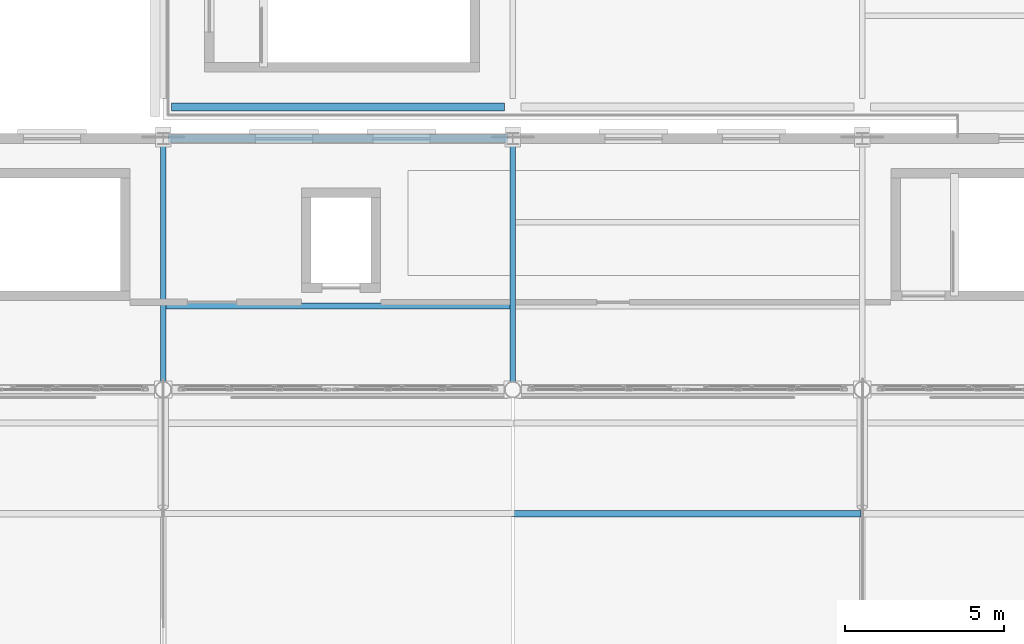
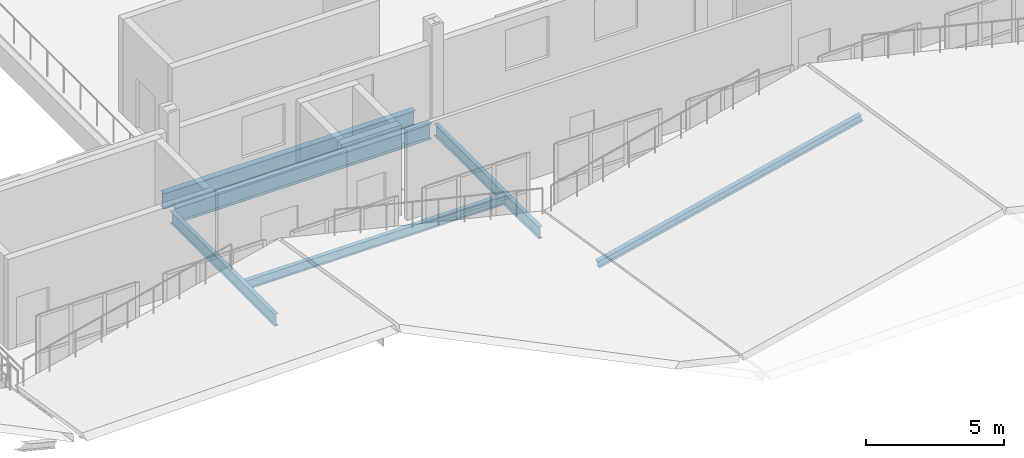
# One storey, part 48 of 120: 5 beams, 1 member.
"""IFC4 building model written with IfcOpenShell, lengths in metres."""

from ifc_helpers import new_model, si_unit, direction, frame, origin, origin_2d, place, context, subcontext, project, spatial, i_section, extrude, material, material_profile, profile_set, type_object, element, save


model = new_model("IFC4")

# Units and contexts
model_context = context("Model", 3, precision=1e-05, world=origin(), true_north=direction((0.0, 1.0)))
body_context = subcontext(model_context, "Body", "Model", "MODEL_VIEW")
ifc_project = project(units=[si_unit("LENGTHUNIT", "METRE"), si_unit("AREAUNIT", "SQUARE_METRE"), si_unit("VOLUMEUNIT", "CUBIC_METRE"), si_unit("PLANEANGLEUNIT", "RADIAN"), si_unit("MASSUNIT", "GRAM", prefix="KILO")], contexts=[model_context])

# Site, building, storey
site_placement = place(None, origin())
site = spatial("IfcSite", under=ifc_project, at=site_placement, CompositionType="ELEMENT")
building_placement = place(site_placement, origin())
building = spatial("IfcBuilding", under=site, at=building_placement, Name="Caurita Quay Ferry Terminal", CompositionType="ELEMENT")
storey_placement = place(building_placement, frame((0.0, 0.0, 9.89990234375)))
storey = spatial("IfcBuildingStorey", under=building, at=storey_placement, Name="L02", CompositionType="ELEMENT", Elevation=9.89990234375)

# Beams
ifc_material = material(Name="Structural steel ASTM A992 Gr. 50", Category="steel")
ifc_material_profile_1 = material_profile(ifc_material, i_section(OverallWidth=0.25390625, OverallDepth=0.68310546875, WebThickness=0.012451171875, FlangeThickness=0.018798828125, at=origin_2d()), Name="W27X94")
ifc_profile_set_1 = profile_set([ifc_material_profile_1], Name="Structural steel ASTM A992 Gr. 50")
beam_type_1 = type_object("IfcBeamType", Name="BM-GR-W27B", PredefinedType="BEAM", material=ifc_profile_set_1)
beam_1_placement = place(storey_placement, frame((99.3583984375, 70.60009765625, -0.5615234375), z_axis=(1.0, 0.0, 0.0), x_axis=(0.0, 1.0, 0.0)))
element("IfcBeam", 1, at=beam_1_placement, inside=storey, type_object=beam_type_1, Name="L02 Beam BM-V2-L02-X-994-706", PredefinedType="BEAM", context=body_context, shape_type="SweptSolid", body=[
    extrude(i_section(OverallWidth=0.25390625, OverallDepth=0.68310546875, WebThickness=0.012451171875, FlangeThickness=0.018798828125, at=origin_2d()), origin(), (0.0, 0.0, 1.0), 10.68310546875),
])
beam_2_placement = place(storey_placement, frame((99.455078125, 71.60009765625, -0.551513671875), z_axis=(1.0, 0.0, 0.0), x_axis=(0.0, 1.0, 0.0)))
element("IfcBeam", 2, at=beam_2_placement, inside=storey, type_object=beam_type_1, Name="L02 Beam BM-V4W-L02-X-995-716", PredefinedType="BEAM", context=body_context, shape_type="SweptSolid", body=[
    extrude(i_section(OverallWidth=0.25390625, OverallDepth=0.68310546875, WebThickness=0.012451171875, FlangeThickness=0.018798828125, at=origin_2d()), origin(), (0.0, 0.0, 1.0), 10.489990234375),
])
ifc_material_profile_2 = material_profile(ifc_material, i_section(OverallWidth=0.177734375, OverallDepth=0.40380859375, WebThickness=0.007568359375, FlangeThickness=0.010986328125, FilletRadius=0.011474609375, at=origin_2d()), Name="W16X36")
ifc_profile_set_2 = profile_set([ifc_material_profile_2], Name="Structural steel ASTM A992 Gr. 50")
beam_type_2 = type_object("IfcBeamType", Name="BM-JS-W16B", PredefinedType="JOIST", material=ifc_profile_set_2)
beam_3_placement = place(storey_placement, frame((99.283203125, 65.333251953125, -0.421875), z_axis=(1.0, 0.0, 0.0), x_axis=(0.0, 1.0, 0.0)))
element("IfcBeam", 3, at=beam_3_placement, inside=storey, type_object=beam_type_2, Name="L02 Beam JS-V2-L02-001", PredefinedType="JOIST", context=body_context, shape_type="SweptSolid", body=[
    extrude(i_section(OverallWidth=0.177734375, OverallDepth=0.40380859375, WebThickness=0.007568359375, FlangeThickness=0.010986328125, FilletRadius=0.011474609375, at=origin_2d()), origin(), (0.0, 0.0, 1.0), 10.83349609375),
])
ifc_material_profile_3 = material_profile(ifc_material, i_section(OverallWidth=0.16650390625, OverallDepth=0.535888671875, WebThickness=0.01025390625, FlangeThickness=0.0166015625, FilletRadius=0.013916015625, at=origin_2d()), Name="W21X57")
ifc_profile_set_3 = profile_set([ifc_material_profile_3], Name="Structural steel ASTM A992 Gr. 50")
beam_type_3 = type_object("IfcBeamType", Name="BM-SP-W21B", PredefinedType="SPANDREL", material=ifc_profile_set_3)
for number, where, z_axis, x_axis, name in (
    (4, (99.199951171875, 62.916015625, -0.48779296875), (0.0, 1.0, 0.0), (-1.0, 0.0, 0.0), "L02 Beam BM-V2-L02-Y-992-629"),
    (5, (110.199951171875, 62.916015625, -0.48779296875), (0.0, 1.0, 0.0), (-1.0, 0.0, 0.0), "L02 Beam BM-V2-L02-Y-1102-629"),
):
    element("IfcBeam", number, at=place(storey_placement, frame(where, z_axis=z_axis, x_axis=x_axis)), inside=storey, type_object=beam_type_3, Name=name, PredefinedType="SPANDREL", context=body_context, shape_type="SweptSolid", body=[
        extrude(i_section(OverallWidth=0.16650390625, OverallDepth=0.535888671875, WebThickness=0.01025390625, FlangeThickness=0.0166015625, FilletRadius=0.013916015625, at=origin_2d()), origin(), (0.0, 0.0, 1.0), 7.527587890625),
    ])

# Member
ifc_material_profile_4 = material_profile(ifc_material, i_section(OverallWidth=0.20458984375, OverallDepth=0.307373046875, WebThickness=0.008544921875, FlangeThickness=0.0146484375, FilletRadius=0.0126953125, at=origin_2d()), Name="W12X45")
ifc_profile_set_4 = profile_set([ifc_material_profile_4], Name="Structural steel ASTM A992 Gr. 50")
member_type = type_object("IfcMemberType", Name="MEM-PUR-12", PredefinedType="PURLIN", material=ifc_profile_set_4)
member_placement = place(storey_placement, frame((110.199951171875, 58.800048828125, 0.6240234375), z_axis=(0.972384559308, 0.0, 0.23338437998), x_axis=(0.0, 1.0, 0.0)))
element("IfcMember", 6, at=member_placement, inside=storey, type_object=member_type, Name="Folded Roof Purlin PUR-109", PredefinedType="PURLIN", context=body_context, shape_type="SweptSolid", body=[
    extrude(i_section(OverallWidth=0.20458984375, OverallDepth=0.307373046875, WebThickness=0.008544921875, FlangeThickness=0.0146484375, FilletRadius=0.0126953125, at=origin_2d()), origin(), (0.0, 0.0, 1.0), 11.3125),
])

save(model, "model.ifc")
